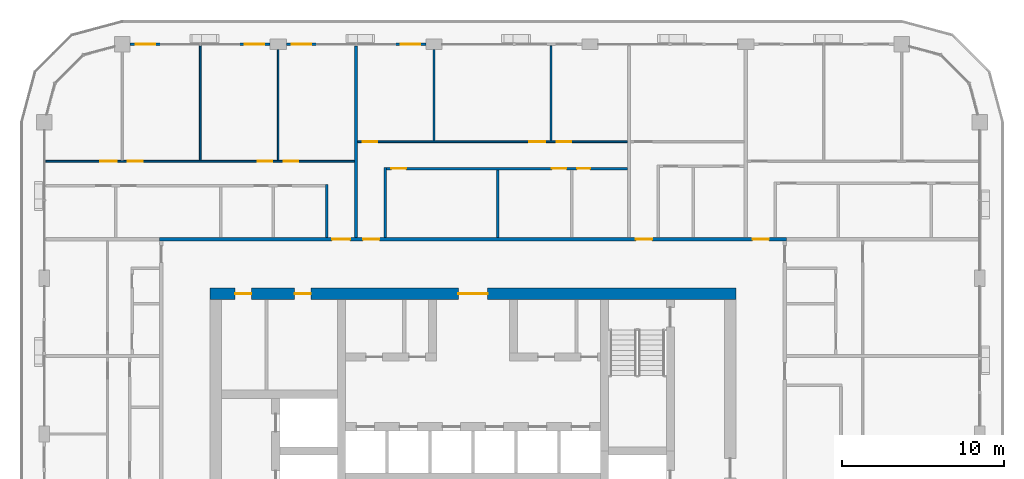
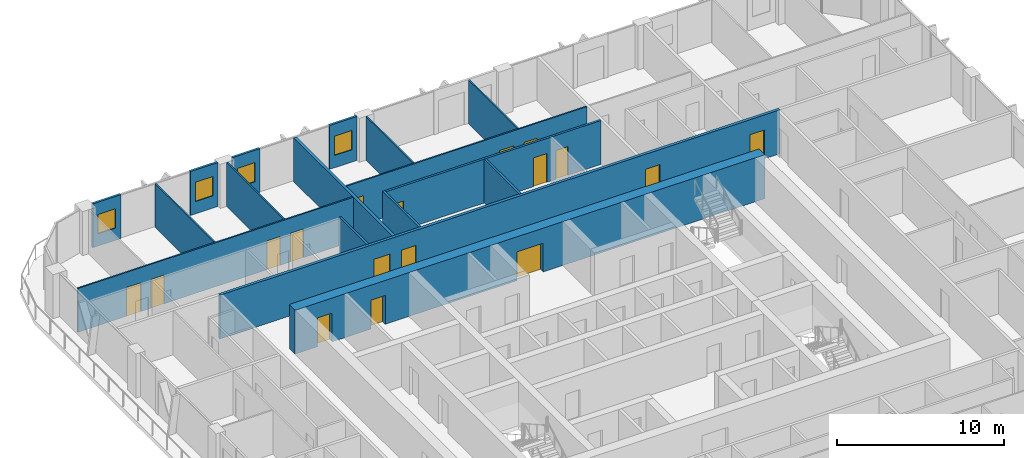
# One storey, part 14 of 23: 17 doors, 17 walls, 4 windows, 21 openings.
"""IFC4 building model written with IfcOpenShell, lengths in metres."""

from ifc_helpers import new_model, si_unit, direction, frame, frame_2d, origin, place, context, subcontext, project, spatial, rectangle, extrude, material, layer, layer_set, type_object, element, fill, save


model = new_model("IFC4")

# Units and contexts
model_context = context("Model", 3, precision=1e-05, world=origin(), true_north=direction((0.0, 1.0)))
body_context = subcontext(model_context, "Body", "Model", "MODEL_VIEW")
ifc_project = project(units=[si_unit("LENGTHUNIT", "METRE"), si_unit("AREAUNIT", "SQUARE_METRE"), si_unit("VOLUMEUNIT", "CUBIC_METRE"), si_unit("PLANEANGLEUNIT", "RADIAN"), si_unit("MASSUNIT", "GRAM", prefix="KILO")], contexts=[model_context])

# Site, building, storey
site_placement = place(None, origin())
site = spatial("IfcSite", under=ifc_project, at=site_placement, CompositionType="ELEMENT")
building_placement = place(site_placement, origin())
building = spatial("IfcBuilding", under=site, at=building_placement, Name="Madar Terraces", CompositionType="ELEMENT")
storey_placement = place(building_placement, frame((0.0, 0.0, 215.800048828125)))
storey = spatial("IfcBuildingStorey", under=building, at=storey_placement, Name="L56", CompositionType="ELEMENT", Elevation=215.800048828125)

# Wall, openings, doors
ifc_material_1 = material(Name="Concrete C60/75", Category="concrete")
ifc_layer_1 = layer(ifc_material_1, 0.699951171875)
ifc_layer_set_1 = layer_set([ifc_layer_1], Name="Concrete C60/75 (CRW4 RC wall 700)")
wall_type_1 = type_object("IfcWallType", Name="CRW4 RC wall 700", PredefinedType="SHEAR", material=ifc_layer_set_1)
wall_1_placement = place(storey_placement, frame((15.0, 37.449951171875, 0.0), z_axis=(0.0, 0.0, 1.0), x_axis=(1.0, 0.0, 0.0)))
wall_1 = element("IfcWall", 1, at=wall_1_placement, inside=storey, type_object=wall_type_1, Name="CORE OUTER WALL", PredefinedType="SHEAR", context=body_context, shape_type="SweptSolid", body=[
    extrude(rectangle(XDim=32.39990234375, YDim=0.699951171875, at=frame_2d((16.199951171875, 0.0))), origin(), (0.0, 0.0, 1.0), 3.199951171875),
])
opening_1_placement = place(wall_1_placement, frame((15.300048828125, 0.0, 0.0)))
opening_1 = element("IfcOpeningElement", 2, at=opening_1_placement, cuts=wall_1, Name="Opening KD1", PredefinedType="OPENING", context=body_context, shape_type="SweptSolid", body=[
    extrude(rectangle(XDim=1.800048828125, YDim=2.10009765625, at=frame_2d((0.89990234375, 1.050048828125))), frame((0.0, 0.35986328125, 0.0), z_axis=(0.0, -1.0, 0.0), x_axis=(1.0, 0.0, 0.0)), (0.0, 0.0, 1.0), 0.719970703125),
])
opening_2_placement = place(wall_1_placement, frame((1.544189453125, 0.0, 0.0)))
opening_2 = element("IfcOpeningElement", 3, at=opening_2_placement, cuts=wall_1, Name="Opening KD2", PredefinedType="OPENING", context=body_context, shape_type="SweptSolid", body=[
    extrude(rectangle(XDim=1.0, YDim=2.10009765625, at=frame_2d((0.5, 1.050048828125))), frame((0.0, 0.35986328125, 0.0), z_axis=(0.0, -1.0, 0.0), x_axis=(1.0, 0.0, 0.0)), (0.0, 0.0, 1.0), 0.719970703125),
])
opening_3_placement = place(wall_1_placement, frame((5.21923828125, 0.0, 0.0)))
opening_3 = element("IfcOpeningElement", 4, at=opening_3_placement, cuts=wall_1, Name="Opening KD2", PredefinedType="OPENING", context=body_context, shape_type="SweptSolid", body=[
    extrude(rectangle(XDim=1.0, YDim=2.10009765625, at=frame_2d((0.5, 1.050048828125))), frame((0.0, 0.35986328125, 0.0), z_axis=(0.0, -1.0, 0.0), x_axis=(1.0, 0.0, 0.0)), (0.0, 0.0, 1.0), 0.719970703125),
])
ifc_material_2 = material(Name="Steel door leaf", Category="steel")
door_type_1 = type_object("IfcDoorType", Name="Lobby door pair 1800 x 2100", OperationType="DOUBLE_DOOR_SINGLE_SWING", PredefinedType="DOOR", material=ifc_material_2)
door_1_placement = place(opening_1_placement, origin())
door_1 = element("IfcDoor", 5, at=door_1_placement, inside=storey, type_object=door_type_1, Name="LIFT LOBBY DOOR", OperationType="DOUBLE_DOOR_SINGLE_SWING", OverallHeight=2.10009765625, OverallWidth=1.800048828125, PredefinedType="DOOR", context=body_context, shape_type="SweptSolid", body=[
    extrude(rectangle(XDim=1.800048828125, YDim=2.10009765625, at=frame_2d((0.89990234375, 1.050048828125))), frame((0.0, 0.02490234375, 0.0), z_axis=(0.0, -1.0, 0.0), x_axis=(1.0, 0.0, 0.0)), (0.0, 0.0, 1.0), 0.050048828125),
])
fill(opening_1, door_1)
ifc_material_3 = material(Name="Steel door leaf", Category="steel")
door_type_2 = type_object("IfcDoorType", Name="Service room door 1000 x 2100", OperationType="NOTDEFINED", PredefinedType="DOOR", material=ifc_material_3)
door_2_placement = place(opening_2_placement, origin())
door_2 = element("IfcDoor", 6, at=door_2_placement, inside=storey, type_object=door_type_2, Name="SERVICE ROOM DOOR", OperationType="SINGLE_SWING_LEFT", OverallHeight=2.10009765625, OverallWidth=1.0, PredefinedType="DOOR", context=body_context, shape_type="SweptSolid", body=[
    extrude(rectangle(XDim=1.0, YDim=2.10009765625, at=frame_2d((0.5, 1.050048828125))), frame((0.0, 0.02490234375, 0.0), z_axis=(0.0, -1.0, 0.0), x_axis=(1.0, 0.0, 0.0)), (0.0, 0.0, 1.0), 0.050048828125),
])
fill(opening_2, door_2)
door_3_placement = place(opening_3_placement, origin())
door_3 = element("IfcDoor", 7, at=door_3_placement, inside=storey, type_object=door_type_2, Name="SERVICE ROOM DOOR", OperationType="SINGLE_SWING_RIGHT", OverallHeight=2.10009765625, OverallWidth=1.0, PredefinedType="DOOR", context=body_context, shape_type="SweptSolid", body=[
    extrude(rectangle(XDim=1.0, YDim=2.10009765625, at=frame_2d((0.5, 1.050048828125))), frame((0.0, 0.02490234375, 0.0), z_axis=(0.0, -1.0, 0.0), x_axis=(1.0, 0.0, 0.0)), (0.0, 0.0, 1.0), 0.050048828125),
])
fill(opening_3, door_3)

# Wall, opening, window
ifc_material_4 = material(Name="Aluminium composite panel, black, over insulated backing", Category="aluminium")
ifc_layer_2 = layer(ifc_material_4, 0.14990234375)
ifc_layer_set_2 = layer_set([ifc_layer_2], Name="Facade bay panel 150")
wall_type_2 = type_object("IfcWallType", Name="Facade bay panel 150", PredefinedType="SOLIDWALL", material=ifc_layer_set_2)
wall_2_placement = place(storey_placement, frame((28.300048828125, 52.800048828125, 0.0), z_axis=(0.0, 0.0, 1.0), x_axis=(-1.0, 0.0, 0.0)))
wall_2 = element("IfcWall", 8, at=wall_2_placement, inside=storey, type_object=wall_type_2, Name="Facade bay panel", PredefinedType="SOLIDWALL", context=body_context, shape_type="SweptSolid", body=[
    extrude(rectangle(XDim=1.900146484375, YDim=0.14990234375, at=frame_2d((0.9501953125, 0.0))), origin(), (0.0, 0.0, 1.0), 3.199951171875),
])
opening_4_placement = place(wall_2_placement, frame((0.35009765625, 0.0, 0.89990234375)))
opening_4 = element("IfcOpeningElement", 9, at=opening_4_placement, cuts=wall_2, Name="Opening W1", PredefinedType="OPENING", context=body_context, shape_type="SweptSolid", body=[
    extrude(rectangle(XDim=1.199951171875, YDim=1.39990234375, at=frame_2d((0.60009765625, 0.699951171875))), frame((0.0, 0.0849609375, 0.0), z_axis=(0.0, -1.0, 0.0), x_axis=(1.0, 0.0, 0.0)), (0.0, 0.0, 1.0), 0.169921875),
])
ifc_material_5 = material(Name="Glass, clear, with black aluminium frame", Category="aluminium")
window_type = type_object("IfcWindowType", Name="Vent window 1200 x 1400", PartitioningType="SINGLE_PANEL", PredefinedType="WINDOW", material=ifc_material_5)
window_1_placement = place(opening_4_placement, origin())
window_1 = element("IfcWindow", 10, at=window_1_placement, inside=storey, type_object=window_type, Name="Operable vent window", OverallHeight=1.39990234375, OverallWidth=1.199951171875, PartitioningType="SINGLE_PANEL", PredefinedType="WINDOW", context=body_context, shape_type="SweptSolid", body=[
    extrude(rectangle(XDim=1.199951171875, YDim=1.39990234375, at=frame_2d((0.60009765625, 0.699951171875))), frame((0.0, 0.030029296875, 0.0), z_axis=(0.0, -1.0, 0.0), x_axis=(1.0, 0.0, 0.0)), (0.0, 0.0, 1.0), 0.06005859375),
])
fill(opening_4, window_1)

wall_3_placement = place(storey_placement, frame((21.60009765625, 52.800048828125, 0.0), z_axis=(0.0, 0.0, 1.0), x_axis=(-1.0, 0.0, 0.0)))
wall_3 = element("IfcWall", 11, at=wall_3_placement, inside=storey, type_object=wall_type_2, Name="Facade bay panel", PredefinedType="SOLIDWALL", context=body_context, shape_type="SweptSolid", body=[
    extrude(rectangle(XDim=1.900146484375, YDim=0.14990234375, at=frame_2d((0.9501953125, 0.0))), origin(), (0.0, 0.0, 1.0), 3.199951171875),
])
opening_5_placement = place(wall_3_placement, frame((0.35009765625, 0.0, 0.89990234375)))
opening_5 = element("IfcOpeningElement", 12, at=opening_5_placement, cuts=wall_3, Name="Opening W1", PredefinedType="OPENING", context=body_context, shape_type="SweptSolid", body=[
    extrude(rectangle(XDim=1.199951171875, YDim=1.39990234375, at=frame_2d((0.60009765625, 0.699951171875))), frame((0.0, 0.0849609375, 0.0), z_axis=(0.0, -1.0, 0.0), x_axis=(1.0, 0.0, 0.0)), (0.0, 0.0, 1.0), 0.169921875),
])
window_2_placement = place(opening_5_placement, origin())
window_2 = element("IfcWindow", 13, at=window_2_placement, inside=storey, type_object=window_type, Name="Operable vent window", OverallHeight=1.39990234375, OverallWidth=1.199951171875, PartitioningType="SINGLE_PANEL", PredefinedType="WINDOW", context=body_context, shape_type="SweptSolid", body=[
    extrude(rectangle(XDim=1.199951171875, YDim=1.39990234375, at=frame_2d((0.60009765625, 0.699951171875))), frame((0.0, 0.030029296875, 0.0), z_axis=(0.0, -1.0, 0.0), x_axis=(1.0, 0.0, 0.0)), (0.0, 0.0, 1.0), 0.06005859375),
])
fill(opening_5, window_2)

wall_4_placement = place(storey_placement, frame((18.699951171875, 52.800048828125, 0.0), z_axis=(0.0, 0.0, 1.0), x_axis=(-1.0, 0.0, 0.0)))
wall_4 = element("IfcWall", 14, at=wall_4_placement, inside=storey, type_object=wall_type_2, Name="Facade bay panel", PredefinedType="SOLIDWALL", context=body_context, shape_type="SweptSolid", body=[
    extrude(rectangle(XDim=1.89990234375, YDim=0.14990234375, at=frame_2d((0.949951171875, 0.0))), origin(), (0.0, 0.0, 1.0), 3.199951171875),
])
opening_6_placement = place(wall_4_placement, frame((0.35009765625, 0.0, 0.89990234375)))
opening_6 = element("IfcOpeningElement", 15, at=opening_6_placement, cuts=wall_4, Name="Opening W1", PredefinedType="OPENING", context=body_context, shape_type="SweptSolid", body=[
    extrude(rectangle(XDim=1.199951171875, YDim=1.39990234375, at=frame_2d((0.60009765625, 0.699951171875))), frame((0.0, 0.0849609375, 0.0), z_axis=(0.0, -1.0, 0.0), x_axis=(1.0, 0.0, 0.0)), (0.0, 0.0, 1.0), 0.169921875),
])
window_3_placement = place(opening_6_placement, origin())
window_3 = element("IfcWindow", 16, at=window_3_placement, inside=storey, type_object=window_type, Name="Operable vent window", OverallHeight=1.39990234375, OverallWidth=1.199951171875, PartitioningType="SINGLE_PANEL", PredefinedType="WINDOW", context=body_context, shape_type="SweptSolid", body=[
    extrude(rectangle(XDim=1.199951171875, YDim=1.39990234375, at=frame_2d((0.60009765625, 0.699951171875))), frame((0.0, 0.030029296875, 0.0), z_axis=(0.0, -1.0, 0.0), x_axis=(1.0, 0.0, 0.0)), (0.0, 0.0, 1.0), 0.06005859375),
])
fill(opening_6, window_3)

wall_5_placement = place(storey_placement, frame((12.0, 52.800048828125, 0.0), z_axis=(0.0, 0.0, 1.0), x_axis=(-1.0, 0.0, 0.0)))
wall_5 = element("IfcWall", 17, at=wall_5_placement, inside=storey, type_object=wall_type_2, Name="Facade bay panel", PredefinedType="SOLIDWALL", context=body_context, shape_type="SweptSolid", body=[
    extrude(rectangle(XDim=1.925048828125, YDim=0.14990234375, at=frame_2d((0.96240234375, 0.0))), origin(), (0.0, 0.0, 1.0), 3.199951171875),
])
opening_7_placement = place(wall_5_placement, frame((0.362548828125, 0.0, 0.89990234375)))
opening_7 = element("IfcOpeningElement", 18, at=opening_7_placement, cuts=wall_5, Name="Opening W1", PredefinedType="OPENING", context=body_context, shape_type="SweptSolid", body=[
    extrude(rectangle(XDim=1.199951171875, YDim=1.39990234375, at=frame_2d((0.60009765625, 0.699951171875))), frame((0.0, 0.0849609375, 0.0), z_axis=(0.0, -1.0, 0.0), x_axis=(1.0, 0.0, 0.0)), (0.0, 0.0, 1.0), 0.169921875),
])
window_4_placement = place(opening_7_placement, origin())
window_4 = element("IfcWindow", 19, at=window_4_placement, inside=storey, type_object=window_type, Name="Operable vent window", OverallHeight=1.39990234375, OverallWidth=1.199951171875, PartitioningType="SINGLE_PANEL", PredefinedType="WINDOW", context=body_context, shape_type="SweptSolid", body=[
    extrude(rectangle(XDim=1.199951171875, YDim=1.39990234375, at=frame_2d((0.60009765625, 0.699951171875))), frame((0.0, 0.030029296875, 0.0), z_axis=(0.0, -1.0, 0.0), x_axis=(1.0, 0.0, 0.0)), (0.0, 0.0, 1.0), 0.06005859375),
])
fill(opening_7, window_4)

# Walls
ifc_material_6 = material(Name="Gypsum board on steel studs", Category="steel")
ifc_layer_3 = layer(ifc_material_6, 0.10009765625)
ifc_layer_set_3 = layer_set([ifc_layer_3], Name="Flat partition 100")
wall_type_3 = type_object("IfcWallType", Name="Flat partition 100", PredefinedType="PARTITIONING", material=ifc_layer_set_3)
wall_6_placement = place(storey_placement, frame((28.800048828125, 46.85009765625, 0.0), z_axis=(0.0, 0.0, 1.0), x_axis=(0.0, 1.0, 0.0)))
element("IfcWall", 20, at=wall_6_placement, inside=storey, type_object=wall_type_3, Name="Flat partition 100", PredefinedType="PARTITIONING", context=body_context, shape_type="SweptSolid", body=[
    extrude(rectangle(XDim=5.625, YDim=0.10009765625, at=frame_2d((2.8125, 0.0))), origin(), (0.0, 0.0, 1.0), 3.199951171875),
])
wall_7_placement = place(storey_placement, frame((36.0, 46.85009765625, 0.0), z_axis=(0.0, 0.0, 1.0), x_axis=(0.0, 1.0, 0.0)))
element("IfcWall", 21, at=wall_7_placement, inside=storey, type_object=wall_type_3, Name="Flat partition 100", PredefinedType="PARTITIONING", context=body_context, shape_type="SweptSolid", body=[
    extrude(rectangle(XDim=5.849853515625, YDim=0.10009765625, at=frame_2d((2.9248046875, 0.0))), origin(), (0.0, 0.0, 1.0), 3.199951171875),
])

# Wall, openings, doors
wall_8_placement = place(storey_placement, frame((24.10009765625, 46.800048828125, 0.0), z_axis=(0.0, 0.0, 1.0), x_axis=(1.0, 0.0, 0.0)))
wall_8 = element("IfcWall", 22, at=wall_8_placement, inside=storey, type_object=wall_type_3, Name="Flat partition 100", PredefinedType="PARTITIONING", context=body_context, shape_type="SweptSolid", body=[
    extrude(rectangle(XDim=16.599853515625, YDim=0.10009765625, at=frame_2d((8.2998046875, 0.0))), origin(), (0.0, 0.0, 1.0), 3.199951171875),
])
opening_8_placement = place(wall_8_placement, frame((0.300048828125, 0.0, 0.0)))
opening_8 = element("IfcOpeningElement", 23, at=opening_8_placement, cuts=wall_8, Name="Opening D2", PredefinedType="OPENING", context=body_context, shape_type="SweptSolid", body=[
    extrude(rectangle(XDim=0.89990234375, YDim=2.10009765625, at=frame_2d((0.449951171875, 1.050048828125))), frame((0.0, 0.06005859375, 0.0), z_axis=(0.0, -1.0, 0.0), x_axis=(1.0, 0.0, 0.0)), (0.0, 0.0, 1.0), 0.1201171875),
])
opening_9_placement = place(wall_8_placement, frame((10.550048828125, 0.0, 0.0)))
opening_9 = element("IfcOpeningElement", 24, at=opening_9_placement, cuts=wall_8, Name="Opening D3", PredefinedType="OPENING", context=body_context, shape_type="SweptSolid", body=[
    extrude(rectangle(XDim=1.0, YDim=2.10009765625, at=frame_2d((0.5, 1.050048828125))), frame((0.0, 0.06005859375, 0.0), z_axis=(0.0, -1.0, 0.0), x_axis=(1.0, 0.0, 0.0)), (0.0, 0.0, 1.0), 0.1201171875),
])
opening_10_placement = place(wall_8_placement, frame((12.25, 0.0, 0.0)))
opening_10 = element("IfcOpeningElement", 25, at=opening_10_placement, cuts=wall_8, Name="Opening D2", PredefinedType="OPENING", context=body_context, shape_type="SweptSolid", body=[
    extrude(rectangle(XDim=0.89990234375, YDim=2.10009765625, at=frame_2d((0.449951171875, 1.050048828125))), frame((0.0, 0.06005859375, 0.0), z_axis=(0.0, -1.0, 0.0), x_axis=(1.0, 0.0, 0.0)), (0.0, 0.0, 1.0), 0.1201171875),
])
ifc_material_7 = material(Name="Timber door leaf", Category="wood")
door_type_3 = type_object("IfcDoorType", Name="Flat living room door 1000", OperationType="NOTDEFINED", PredefinedType="DOOR", material=ifc_material_7)
door_4_placement = place(opening_9_placement, origin())
door_4 = element("IfcDoor", 26, at=door_4_placement, inside=storey, type_object=door_type_3, Name="Flat living room door 1000", OperationType="SINGLE_SWING_RIGHT", OverallHeight=2.10009765625, OverallWidth=1.0, PredefinedType="DOOR", context=body_context, shape_type="SweptSolid", body=[
    extrude(rectangle(XDim=1.0, YDim=2.10009765625, at=frame_2d((0.5, 1.050048828125))), frame((0.0, 0.02490234375, 0.0), z_axis=(0.0, -1.0, 0.0), x_axis=(1.0, 0.0, 0.0)), (0.0, 0.0, 1.0), 0.050048828125),
])
fill(opening_9, door_4)
ifc_material_8 = material(Name="Timber door leaf", Category="wood")
door_type_4 = type_object("IfcDoorType", Name="Flat room door 900", OperationType="NOTDEFINED", PredefinedType="DOOR", material=ifc_material_8)
door_5_placement = place(opening_8_placement, origin())
door_5 = element("IfcDoor", 27, at=door_5_placement, inside=storey, type_object=door_type_4, Name="Flat room door 900", OperationType="SINGLE_SWING_LEFT", OverallHeight=2.10009765625, OverallWidth=0.89990234375, PredefinedType="DOOR", context=body_context, shape_type="SweptSolid", body=[
    extrude(rectangle(XDim=0.89990234375, YDim=2.10009765625, at=frame_2d((0.449951171875, 1.050048828125))), frame((0.0, 0.02490234375, 0.0), z_axis=(0.0, -1.0, 0.0), x_axis=(1.0, 0.0, 0.0)), (0.0, 0.0, 1.0), 0.050048828125),
])
fill(opening_8, door_5)
door_6_placement = place(opening_10_placement, origin())
door_6 = element("IfcDoor", 28, at=door_6_placement, inside=storey, type_object=door_type_4, Name="Flat room door 900", OperationType="SINGLE_SWING_LEFT", OverallHeight=2.10009765625, OverallWidth=0.89990234375, PredefinedType="DOOR", context=body_context, shape_type="SweptSolid", body=[
    extrude(rectangle(XDim=0.89990234375, YDim=2.10009765625, at=frame_2d((0.449951171875, 1.050048828125))), frame((0.0, 0.02490234375, 0.0), z_axis=(0.0, -1.0, 0.0), x_axis=(1.0, 0.0, 0.0)), (0.0, 0.0, 1.0), 0.050048828125),
])
fill(opening_10, door_6)

# Walls
wall_9_placement = place(storey_placement, frame((19.199951171875, 45.64990234375, 0.0), z_axis=(0.0, 0.0, 1.0), x_axis=(0.0, 1.0, 0.0)))
element("IfcWall", 29, at=wall_9_placement, inside=storey, type_object=wall_type_3, Name="Flat partition 100", PredefinedType="PARTITIONING", context=body_context, shape_type="SweptSolid", body=[
    extrude(rectangle(XDim=6.8251953125, YDim=0.10009765625, at=frame_2d((3.41259765625, 0.0))), origin(), (0.0, 0.0, 1.0), 3.199951171875),
])
wall_10_placement = place(storey_placement, frame((14.39990234375, 45.64990234375, 0.0), z_axis=(0.0, 0.0, 1.0), x_axis=(0.0, 1.0, 0.0)))
element("IfcWall", 30, at=wall_10_placement, inside=storey, type_object=wall_type_3, Name="Flat partition 100", PredefinedType="PARTITIONING", context=body_context, shape_type="SweptSolid", body=[
    extrude(rectangle(XDim=7.050048828125, YDim=0.10009765625, at=frame_2d((3.52490234375, 0.0))), origin(), (0.0, 0.0, 1.0), 3.199951171875),
])

# Wall, openings, doors
wall_11_placement = place(storey_placement, frame((4.89990234375, 45.60009765625, 0.0), z_axis=(0.0, 0.0, 1.0), x_axis=(1.0, 0.0, 0.0)))
wall_11 = element("IfcWall", 31, at=wall_11_placement, inside=storey, type_object=wall_type_3, Name="Flat partition 100", PredefinedType="PARTITIONING", context=body_context, shape_type="SweptSolid", body=[
    extrude(rectangle(XDim=19.0, YDim=0.10009765625, at=frame_2d((9.5, 0.0))), origin(), (0.0, 0.0, 1.0), 3.199951171875),
])
opening_11_placement = place(wall_11_placement, frame((14.64990234375, 0.0, 0.0)))
opening_11 = element("IfcOpeningElement", 32, at=opening_11_placement, cuts=wall_11, Name="Opening D2", PredefinedType="OPENING", context=body_context, shape_type="SweptSolid", body=[
    extrude(rectangle(XDim=0.89990234375, YDim=2.10009765625, at=frame_2d((0.449951171875, 1.050048828125))), frame((0.0, 0.06005859375, 0.0), z_axis=(0.0, -1.0, 0.0), x_axis=(1.0, 0.0, 0.0)), (0.0, 0.0, 1.0), 0.1201171875),
])
opening_12_placement = place(wall_11_placement, frame((13.050048828125, 0.0, 0.0)))
opening_12 = element("IfcOpeningElement", 33, at=opening_12_placement, cuts=wall_11, Name="Opening D2", PredefinedType="OPENING", context=body_context, shape_type="SweptSolid", body=[
    extrude(rectangle(XDim=0.89990234375, YDim=2.10009765625, at=frame_2d((0.449951171875, 1.050048828125))), frame((0.0, 0.06005859375, 0.0), z_axis=(0.0, -1.0, 0.0), x_axis=(1.0, 0.0, 0.0)), (0.0, 0.0, 1.0), 0.1201171875),
])
opening_13_placement = place(wall_11_placement, frame((5.050048828125, 0.0, 0.0)))
opening_13 = element("IfcOpeningElement", 34, at=opening_13_placement, cuts=wall_11, Name="Opening D2", PredefinedType="OPENING", context=body_context, shape_type="SweptSolid", body=[
    extrude(rectangle(XDim=0.89990234375, YDim=2.10009765625, at=frame_2d((0.449951171875, 1.050048828125))), frame((0.0, 0.06005859375, 0.0), z_axis=(0.0, -1.0, 0.0), x_axis=(1.0, 0.0, 0.0)), (0.0, 0.0, 1.0), 0.1201171875),
])
opening_14_placement = place(wall_11_placement, frame((3.35009765625, 0.0, 0.0)))
opening_14 = element("IfcOpeningElement", 35, at=opening_14_placement, cuts=wall_11, Name="Opening D3", PredefinedType="OPENING", context=body_context, shape_type="SweptSolid", body=[
    extrude(rectangle(XDim=1.0, YDim=2.10009765625, at=frame_2d((0.5, 1.050048828125))), frame((0.0, 0.06005859375, 0.0), z_axis=(0.0, -1.0, 0.0), x_axis=(1.0, 0.0, 0.0)), (0.0, 0.0, 1.0), 0.1201171875),
])
door_7_placement = place(opening_14_placement, origin())
door_7 = element("IfcDoor", 36, at=door_7_placement, inside=storey, type_object=door_type_3, Name="Flat living room door 1000", OperationType="SINGLE_SWING_RIGHT", OverallHeight=2.10009765625, OverallWidth=1.0, PredefinedType="DOOR", context=body_context, shape_type="SweptSolid", body=[
    extrude(rectangle(XDim=1.0, YDim=2.10009765625, at=frame_2d((0.5, 1.050048828125))), frame((0.0, 0.02490234375, 0.0), z_axis=(0.0, -1.0, 0.0), x_axis=(1.0, 0.0, 0.0)), (0.0, 0.0, 1.0), 0.050048828125),
])
fill(opening_14, door_7)
door_8_placement = place(opening_11_placement, origin())
door_8 = element("IfcDoor", 37, at=door_8_placement, inside=storey, type_object=door_type_4, Name="Flat room door 900", OperationType="SINGLE_SWING_LEFT", OverallHeight=2.10009765625, OverallWidth=0.89990234375, PredefinedType="DOOR", context=body_context, shape_type="SweptSolid", body=[
    extrude(rectangle(XDim=0.89990234375, YDim=2.10009765625, at=frame_2d((0.449951171875, 1.050048828125))), frame((0.0, 0.02490234375, 0.0), z_axis=(0.0, -1.0, 0.0), x_axis=(1.0, 0.0, 0.0)), (0.0, 0.0, 1.0), 0.050048828125),
])
fill(opening_11, door_8)
door_9_placement = place(opening_12_placement, origin())
door_9 = element("IfcDoor", 38, at=door_9_placement, inside=storey, type_object=door_type_4, Name="Flat room door 900", OperationType="SINGLE_SWING_RIGHT", OverallHeight=2.10009765625, OverallWidth=0.89990234375, PredefinedType="DOOR", context=body_context, shape_type="SweptSolid", body=[
    extrude(rectangle(XDim=0.89990234375, YDim=2.10009765625, at=frame_2d((0.449951171875, 1.050048828125))), frame((0.0, 0.02490234375, 0.0), z_axis=(0.0, -1.0, 0.0), x_axis=(1.0, 0.0, 0.0)), (0.0, 0.0, 1.0), 0.050048828125),
])
fill(opening_12, door_9)
door_10_placement = place(opening_13_placement, origin())
door_10 = element("IfcDoor", 39, at=door_10_placement, inside=storey, type_object=door_type_4, Name="Flat room door 900", OperationType="SINGLE_SWING_LEFT", OverallHeight=2.10009765625, OverallWidth=0.89990234375, PredefinedType="DOOR", context=body_context, shape_type="SweptSolid", body=[
    extrude(rectangle(XDim=0.89990234375, YDim=2.10009765625, at=frame_2d((0.449951171875, 1.050048828125))), frame((0.0, 0.02490234375, 0.0), z_axis=(0.0, -1.0, 0.0), x_axis=(1.0, 0.0, 0.0)), (0.0, 0.0, 1.0), 0.050048828125),
])
fill(opening_13, door_10)

ifc_material_9 = material(Name="Lightweight blockwork", Category="masonry")
ifc_layer_4 = layer(ifc_material_9, 0.199951171875)
ifc_layer_set_4 = layer_set([ifc_layer_4], Name="Flat party and entrance wall 200")
wall_type_4 = type_object("IfcWallType", Name="Flat party and entrance wall 200", PredefinedType="PARTITIONING", material=ifc_layer_set_4)
wall_12_placement = place(storey_placement, frame((11.89990234375, 40.800048828125, 0.0), z_axis=(0.0, 0.0, 1.0), x_axis=(1.0, 0.0, 0.0)))
wall_12 = element("IfcWall", 40, at=wall_12_placement, inside=storey, type_object=wall_type_4, Name="Flat party and entrance wall 200", PredefinedType="PARTITIONING", context=body_context, shape_type="SweptSolid", body=[
    extrude(rectangle(XDim=38.60009765625, YDim=0.199951171875, at=frame_2d((19.300048828125, 0.0))), origin(), (0.0, 0.0, 1.0), 3.199951171875),
])
opening_15_placement = place(wall_12_placement, frame((36.52490234375, 0.0, 0.0)))
opening_15 = element("IfcOpeningElement", 41, at=opening_15_placement, cuts=wall_12, Name="Opening D1", PredefinedType="OPENING", context=body_context, shape_type="SweptSolid", body=[
    extrude(rectangle(XDim=1.0, YDim=2.10009765625, at=frame_2d((0.5, 1.050048828125))), frame((0.0, 0.10986328125, 0.0), z_axis=(0.0, -1.0, 0.0), x_axis=(1.0, 0.0, 0.0)), (0.0, 0.0, 1.0), 0.219970703125),
])
opening_16_placement = place(wall_12_placement, frame((29.324951171875, 0.0, 0.0)))
opening_16 = element("IfcOpeningElement", 42, at=opening_16_placement, cuts=wall_12, Name="Opening D1", PredefinedType="OPENING", context=body_context, shape_type="SweptSolid", body=[
    extrude(rectangle(XDim=1.0, YDim=2.10009765625, at=frame_2d((0.5, 1.050048828125))), frame((0.0, 0.10986328125, 0.0), z_axis=(0.0, -1.0, 0.0), x_axis=(1.0, 0.0, 0.0)), (0.0, 0.0, 1.0), 0.219970703125),
])
opening_17_placement = place(wall_12_placement, frame((12.52490234375, 0.0, 0.0)))
opening_17 = element("IfcOpeningElement", 43, at=opening_17_placement, cuts=wall_12, Name="Opening D1", PredefinedType="OPENING", context=body_context, shape_type="SweptSolid", body=[
    extrude(rectangle(XDim=1.0, YDim=2.10009765625, at=frame_2d((0.5, 1.050048828125))), frame((0.0, 0.10986328125, 0.0), z_axis=(0.0, -1.0, 0.0), x_axis=(1.0, 0.0, 0.0)), (0.0, 0.0, 1.0), 0.219970703125),
])
opening_18_placement = place(wall_12_placement, frame((10.625, 0.0, 0.0)))
opening_18 = element("IfcOpeningElement", 44, at=opening_18_placement, cuts=wall_12, Name="Opening D6", PredefinedType="OPENING", context=body_context, shape_type="SweptSolid", body=[
    extrude(rectangle(XDim=1.10009765625, YDim=2.10009765625, at=frame_2d((0.550048828125, 1.050048828125))), frame((0.0, 0.10986328125, 0.0), z_axis=(0.0, -1.0, 0.0), x_axis=(1.0, 0.0, 0.0)), (0.0, 0.0, 1.0), 0.219970703125),
])
ifc_material_10 = material(Name="Timber fire door leaf", Category="wood")
door_type_5 = type_object("IfcDoorType", Name="Flat entrance door 1000 FD30S", OperationType="NOTDEFINED", PredefinedType="DOOR", material=ifc_material_10)
door_11_placement = place(opening_15_placement, origin())
door_11 = element("IfcDoor", 45, at=door_11_placement, inside=storey, type_object=door_type_5, Name="Flat entrance door 1000 FD30S", OperationType="SINGLE_SWING_LEFT", OverallHeight=2.10009765625, OverallWidth=1.0, PredefinedType="DOOR", context=body_context, shape_type="SweptSolid", body=[
    extrude(rectangle(XDim=1.0, YDim=2.10009765625, at=frame_2d((0.5, 1.050048828125))), frame((0.0, 0.02490234375, 0.0), z_axis=(0.0, -1.0, 0.0), x_axis=(1.0, 0.0, 0.0)), (0.0, 0.0, 1.0), 0.050048828125),
])
fill(opening_15, door_11)
door_12_placement = place(opening_16_placement, origin())
door_12 = element("IfcDoor", 46, at=door_12_placement, inside=storey, type_object=door_type_5, Name="Flat entrance door 1000 FD30S", OperationType="SINGLE_SWING_LEFT", OverallHeight=2.10009765625, OverallWidth=1.0, PredefinedType="DOOR", context=body_context, shape_type="SweptSolid", body=[
    extrude(rectangle(XDim=1.0, YDim=2.10009765625, at=frame_2d((0.5, 1.050048828125))), frame((0.0, 0.02490234375, 0.0), z_axis=(0.0, -1.0, 0.0), x_axis=(1.0, 0.0, 0.0)), (0.0, 0.0, 1.0), 0.050048828125),
])
fill(opening_16, door_12)
door_13_placement = place(opening_17_placement, origin())
door_13 = element("IfcDoor", 47, at=door_13_placement, inside=storey, type_object=door_type_5, Name="Flat entrance door 1000 FD30S", OperationType="SINGLE_SWING_LEFT", OverallHeight=2.10009765625, OverallWidth=1.0, PredefinedType="DOOR", context=body_context, shape_type="SweptSolid", body=[
    extrude(rectangle(XDim=1.0, YDim=2.10009765625, at=frame_2d((0.5, 1.050048828125))), frame((0.0, 0.02490234375, 0.0), z_axis=(0.0, -1.0, 0.0), x_axis=(1.0, 0.0, 0.0)), (0.0, 0.0, 1.0), 0.050048828125),
])
fill(opening_17, door_13)
ifc_material_11 = material(Name="Timber fire door leaf", Category="wood")
door_type_6 = type_object("IfcDoorType", Name="Flat entrance door 1100 FD30S", OperationType="NOTDEFINED", PredefinedType="DOOR", material=ifc_material_11)
door_14_placement = place(opening_18_placement, origin())
door_14 = element("IfcDoor", 48, at=door_14_placement, inside=storey, type_object=door_type_6, Name="Flat entrance door 1100 FD30S", OperationType="SINGLE_SWING_RIGHT", OverallHeight=2.10009765625, OverallWidth=1.10009765625, PredefinedType="DOOR", context=body_context, shape_type="SweptSolid", body=[
    extrude(rectangle(XDim=1.10009765625, YDim=2.10009765625, at=frame_2d((0.550048828125, 1.050048828125))), frame((0.0, 0.02490234375, 0.0), z_axis=(0.0, -1.0, 0.0), x_axis=(1.0, 0.0, 0.0)), (0.0, 0.0, 1.0), 0.050048828125),
])
fill(opening_18, door_14)

# Walls
wall_13_placement = place(storey_placement, frame((24.0, 52.699951171875, 0.0), z_axis=(0.0, 0.0, 1.0), x_axis=(0.0, -1.0, 0.0)))
element("IfcWall", 49, at=wall_13_placement, inside=storey, type_object=wall_type_4, Name="Flat party and entrance wall 200", PredefinedType="PARTITIONING", context=body_context, shape_type="SweptSolid", body=[
    extrude(rectangle(XDim=11.800048828125, YDim=0.199951171875, at=frame_2d((5.89990234375, 0.0))), origin(), (0.0, 0.0, 1.0), 3.199951171875),
])
ifc_material_12 = material(Name="Lightweight blockwork", Category="masonry")
ifc_layer_5 = layer(ifc_material_12, 0.14990234375)
ifc_layer_set_5 = layer_set([ifc_layer_5], Name="Flat wet-room partition 150")
wall_type_5 = type_object("IfcWallType", Name="Flat wet-room partition 150", PredefinedType="PARTITIONING", material=ifc_layer_set_5)
wall_14_placement = place(storey_placement, frame((32.71728515625, 40.89990234375, 0.0), z_axis=(0.0, 0.0, 1.0), x_axis=(0.0, 1.0, 0.0)))
element("IfcWall", 50, at=wall_14_placement, inside=storey, type_object=wall_type_5, Name="Flat wet-room partition 150", PredefinedType="PARTITIONING", context=body_context, shape_type="SweptSolid", body=[
    extrude(rectangle(XDim=4.175048828125, YDim=0.14990234375, at=frame_2d((2.08740234375, 0.0))), origin(), (0.0, 0.0, 1.0), 3.199951171875),
])
wall_15_placement = place(storey_placement, frame((25.800048828125, 40.89990234375, 0.0), z_axis=(0.0, 0.0, 1.0), x_axis=(0.0, 1.0, 0.0)))
element("IfcWall", 51, at=wall_15_placement, inside=storey, type_object=wall_type_5, Name="Flat wet-room partition 150", PredefinedType="PARTITIONING", context=body_context, shape_type="SweptSolid", body=[
    extrude(rectangle(XDim=4.3251953125, YDim=0.14990234375, at=frame_2d((2.16259765625, 0.0))), origin(), (0.0, 0.0, 1.0), 3.199951171875),
])

# Wall, openings, doors
wall_16_placement = place(storey_placement, frame((40.699951171875, 45.14990234375, 0.0), z_axis=(0.0, 0.0, 1.0), x_axis=(-1.0, 0.0, 0.0)))
wall_16 = element("IfcWall", 52, at=wall_16_placement, inside=storey, type_object=wall_type_5, Name="Flat wet-room partition 150", PredefinedType="PARTITIONING", context=body_context, shape_type="SweptSolid", body=[
    extrude(rectangle(XDim=14.824951171875, YDim=0.14990234375, at=frame_2d((7.41259765625, 0.0))), origin(), (0.0, 0.0, 1.0), 3.199951171875),
])
opening_19_placement = place(wall_16_placement, frame((13.625, 0.0, 0.0)))
opening_19 = element("IfcOpeningElement", 53, at=opening_19_placement, cuts=wall_16, Name="Opening D2", PredefinedType="OPENING", context=body_context, shape_type="SweptSolid", body=[
    extrude(rectangle(XDim=0.89990234375, YDim=2.10009765625, at=frame_2d((0.449951171875, 1.050048828125))), frame((0.0, 0.0849609375, 0.0), z_axis=(0.0, -1.0, 0.0), x_axis=(1.0, 0.0, 0.0)), (0.0, 0.0, 1.0), 0.169921875),
])
opening_20_placement = place(wall_16_placement, frame((3.74609375, 0.0, 0.0)))
opening_20 = element("IfcOpeningElement", 54, at=opening_20_placement, cuts=wall_16, Name="Opening D5", PredefinedType="OPENING", context=body_context, shape_type="SweptSolid", body=[
    extrude(rectangle(XDim=0.89990234375, YDim=2.10009765625, at=frame_2d((0.449951171875, 1.050048828125))), frame((0.0, 0.0849609375, 0.0), z_axis=(0.0, -1.0, 0.0), x_axis=(1.0, 0.0, 0.0)), (0.0, 0.0, 1.0), 0.169921875),
])
opening_21_placement = place(wall_16_placement, frame((2.296142578125, 0.0, 0.0)))
opening_21 = element("IfcOpeningElement", 55, at=opening_21_placement, cuts=wall_16, Name="Opening D4", PredefinedType="OPENING", context=body_context, shape_type="SweptSolid", body=[
    extrude(rectangle(XDim=0.800048828125, YDim=2.10009765625, at=frame_2d((0.39990234375, 1.050048828125))), frame((0.0, 0.0849609375, 0.0), z_axis=(0.0, -1.0, 0.0), x_axis=(1.0, 0.0, 0.0)), (0.0, 0.0, 1.0), 0.169921875),
])
ifc_material_13 = material(Name="Timber door leaf", Category="wood")
door_type_7 = type_object("IfcDoorType", Name="Flat accessible bathroom door 900", OperationType="NOTDEFINED", PredefinedType="DOOR", material=ifc_material_13)
door_15_placement = place(opening_20_placement, origin())
door_15 = element("IfcDoor", 56, at=door_15_placement, inside=storey, type_object=door_type_7, Name="Flat accessible bathroom door 900", OperationType="SINGLE_SWING_LEFT", OverallHeight=2.10009765625, OverallWidth=0.89990234375, PredefinedType="DOOR", context=body_context, shape_type="SweptSolid", body=[
    extrude(rectangle(XDim=0.89990234375, YDim=2.10009765625, at=frame_2d((0.449951171875, 1.050048828125))), frame((0.0, 0.02490234375, 0.0), z_axis=(0.0, -1.0, 0.0), x_axis=(1.0, 0.0, 0.0)), (0.0, 0.0, 1.0), 0.050048828125),
])
fill(opening_20, door_15)
ifc_material_14 = material(Name="Timber door leaf", Category="wood")
door_type_8 = type_object("IfcDoorType", Name="Flat bathroom door 800", OperationType="NOTDEFINED", PredefinedType="DOOR", material=ifc_material_14)
door_16_placement = place(opening_21_placement, origin())
door_16 = element("IfcDoor", 57, at=door_16_placement, inside=storey, type_object=door_type_8, Name="Flat bathroom door 800", OperationType="SINGLE_SWING_RIGHT", OverallHeight=2.10009765625, OverallWidth=0.800048828125, PredefinedType="DOOR", context=body_context, shape_type="SweptSolid", body=[
    extrude(rectangle(XDim=0.800048828125, YDim=2.10009765625, at=frame_2d((0.39990234375, 1.050048828125))), frame((0.0, 0.02490234375, 0.0), z_axis=(0.0, -1.0, 0.0), x_axis=(1.0, 0.0, 0.0)), (0.0, 0.0, 1.0), 0.050048828125),
])
fill(opening_21, door_16)
door_17_placement = place(opening_19_placement, origin())
door_17 = element("IfcDoor", 58, at=door_17_placement, inside=storey, type_object=door_type_4, Name="Flat room door 900", OperationType="SINGLE_SWING_RIGHT", OverallHeight=2.10009765625, OverallWidth=0.89990234375, PredefinedType="DOOR", context=body_context, shape_type="SweptSolid", body=[
    extrude(rectangle(XDim=0.89990234375, YDim=2.10009765625, at=frame_2d((0.449951171875, 1.050048828125))), frame((0.0, 0.02490234375, 0.0), z_axis=(0.0, -1.0, 0.0), x_axis=(1.0, 0.0, 0.0)), (0.0, 0.0, 1.0), 0.050048828125),
])
fill(opening_19, door_17)

# Wall
wall_17_placement = place(storey_placement, frame((22.199951171875, 40.89990234375, 0.0), z_axis=(0.0, 0.0, 1.0), x_axis=(0.0, 1.0, 0.0)))
element("IfcWall", 59, at=wall_17_placement, inside=storey, type_object=wall_type_5, Name="Flat wet-room partition 150", PredefinedType="PARTITIONING", context=body_context, shape_type="SweptSolid", body=[
    extrude(rectangle(XDim=3.275146484375, YDim=0.14990234375, at=frame_2d((1.6376953125, 0.0))), origin(), (0.0, 0.0, 1.0), 3.199951171875),
])

save(model, "model.ifc")
